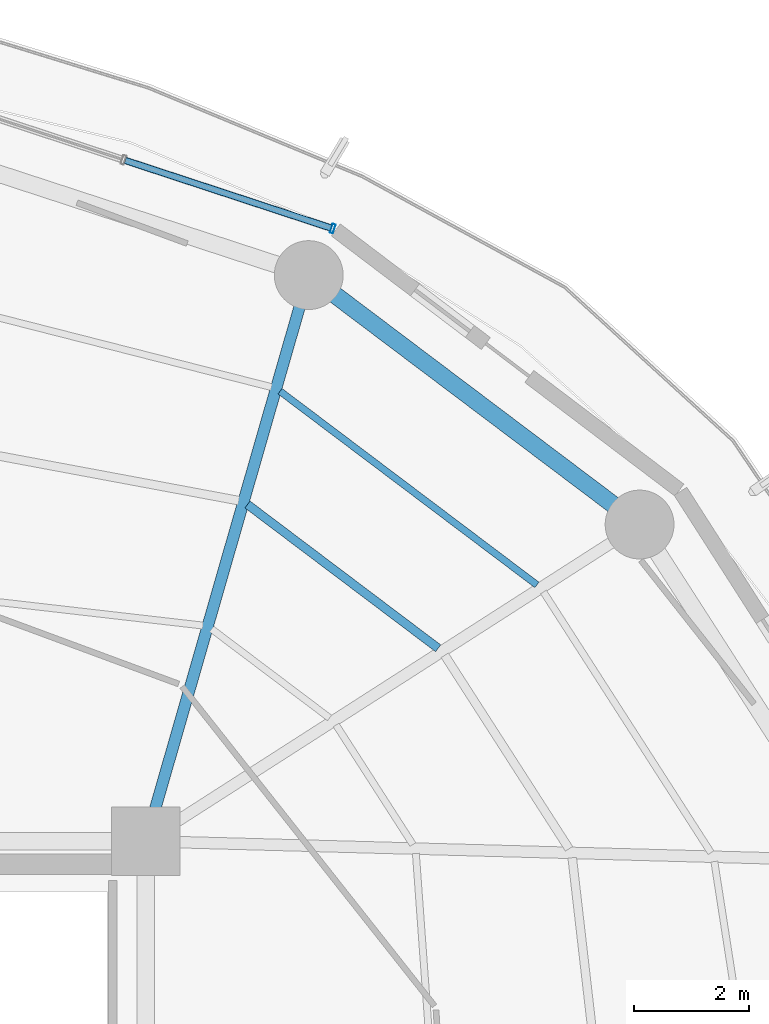
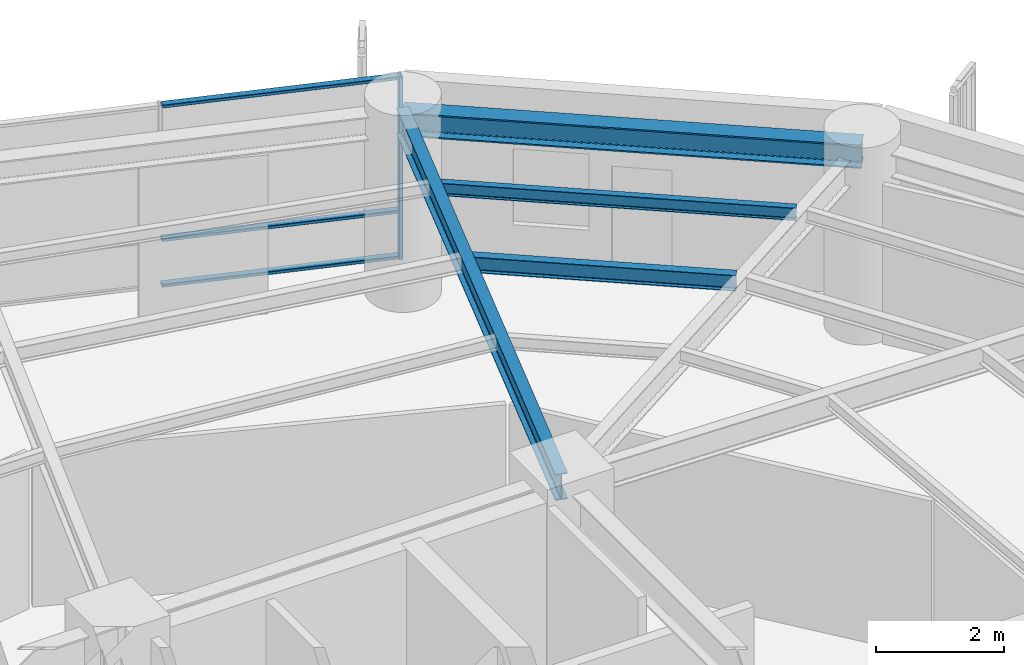
# One storey, part 19 of 27: 4 beams, 4 members, 1 element without a shape of its own.
"""IFC4 building model written with IfcOpenShell, lengths in metres."""

from ifc_helpers import new_model, si_unit, direction, frame, origin, origin_2d, place, context, subcontext, project, spatial, hollow_rectangle, i_section, extrude, material, layer, layer_set, material_profile, profile_set, type_object, element, aggregate, save


model = new_model("IFC4")

# Units and contexts
model_context = context("Model", 3, precision=1e-05, world=origin(), true_north=direction((0.0, 1.0)))
body_context = subcontext(model_context, "Body", "Model", "MODEL_VIEW")
ifc_project = project(units=[si_unit("LENGTHUNIT", "METRE"), si_unit("AREAUNIT", "SQUARE_METRE"), si_unit("VOLUMEUNIT", "CUBIC_METRE"), si_unit("PLANEANGLEUNIT", "RADIAN"), si_unit("MASSUNIT", "GRAM", prefix="KILO")], contexts=[model_context])

# Site, building, storey
site_placement = place(None, origin())
site = spatial("IfcSite", under=ifc_project, at=site_placement, CompositionType="ELEMENT")
building_placement = place(site_placement, origin())
building = spatial("IfcBuilding", under=site, at=building_placement, Name="Kelanora Arch Commons", CompositionType="ELEMENT")
storey_placement = place(building_placement, frame((0.0, 0.0, 146.85009765625)))
storey = spatial("IfcBuildingStorey", under=building, at=storey_placement, Name="L37", CompositionType="ELEMENT", Elevation=146.85009765625)

# Beams
ifc_material_1 = material(Name="Steel S355", Category="steel")
ifc_material_profile_1 = material_profile(ifc_material_1, i_section(OverallWidth=0.14990234375, OverallDepth=0.300048828125, WebThickness=0.007080078125, FlangeThickness=0.0107421875, FilletRadius=0.014892578125, at=origin_2d()), Name="IPE300")
ifc_profile_set_1 = profile_set([ifc_material_profile_1], Name="Steel S355")
beam_type_1 = type_object("IfcBeamType", Name="BM-JST-01", PredefinedType="JOIST", material=ifc_profile_set_1)
beam_1_placement = place(storey_placement, frame((87.0966796875, 68.364013671875, 3.33984375), z_axis=(-0.798463547891, 0.602043156833, 0.0), x_axis=(-0.602043156833, -0.798463547891, 0.0)))
element("IfcBeam", 1, at=beam_1_placement, inside=storey, type_object=beam_type_1, Name="Secondary Chord Joist BJB-04 L37", PredefinedType="JOIST", context=body_context, shape_type="SweptSolid", body=[
    extrude(i_section(OverallWidth=0.14990234375, OverallDepth=0.300048828125, WebThickness=0.007080078125, FlangeThickness=0.0107421875, FilletRadius=0.014892578125, at=origin_2d()), origin(), (0.0, 0.0, 1.0), 4.163818359375),
])
ifc_material_profile_2 = material_profile(ifc_material_1, i_section(OverallWidth=0.1201171875, OverallDepth=0.239990234375, WebThickness=0.006103515625, FlangeThickness=0.009765625, FilletRadius=0.014892578125, at=origin_2d()), Name="IPE240")
ifc_profile_set_2 = profile_set([ifc_material_profile_2], Name="Steel S355")
beam_type_2 = type_object("IfcBeamType", Name="BM-JST-02", PredefinedType="JOIST", material=ifc_profile_set_2)
beam_2_placement = place(storey_placement, frame((88.818359375, 69.468505859375, 3.369873046875), z_axis=(-0.798493128577, 0.602003923256, 0.0), x_axis=(-0.602003923256, -0.798493128577, 0.0)))
element("IfcBeam", 2, at=beam_2_placement, inside=storey, type_object=beam_type_2, Name="Secondary Chord Joist BJC-04 L37", PredefinedType="JOIST", context=body_context, shape_type="SweptSolid", body=[
    extrude(i_section(OverallWidth=0.1201171875, OverallDepth=0.239990234375, WebThickness=0.006103515625, FlangeThickness=0.009765625, FilletRadius=0.014892578125, at=origin_2d()), origin(), (0.0, 0.0, 1.0), 5.608642578125),
])
ifc_material_profile_3 = material_profile(ifc_material_1, i_section(OverallWidth=0.199951171875, OverallDepth=0.5, WebThickness=0.01025390625, FlangeThickness=0.01611328125, FilletRadius=0.02099609375, at=origin_2d()), Name="IPE500")
ifc_profile_set_3 = profile_set([ifc_material_profile_3], Name="Steel S355")
beam_type_3 = type_object("IfcBeamType", Name="BM-RAD-Z3", PredefinedType="BEAM", material=ifc_profile_set_3)
beam_3_placement = place(storey_placement, frame((82.0, 65.0, 3.239990234375), z_axis=(0.276525880065, 0.961006471182, 0.0), x_axis=(-0.961006471182, 0.276525880065, 0.0)))
element("IfcBeam", 3, at=beam_3_placement, inside=storey, type_object=beam_type_3, Name="Radial Floor Girder BR-06 L37", PredefinedType="BEAM", context=body_context, shape_type="SweptSolid", body=[
    extrude(i_section(OverallWidth=0.199951171875, OverallDepth=0.5, WebThickness=0.01025390625, FlangeThickness=0.01611328125, FilletRadius=0.02099609375, at=origin_2d()), origin(), (0.0, 0.0, 1.0), 10.2705078125),
])
ifc_material_profile_4 = material_profile(ifc_material_1, i_section(OverallWidth=0.300048828125, OverallDepth=0.449951171875, WebThickness=0.013916015625, FlangeThickness=0.02587890625, FilletRadius=0.027099609375, at=origin_2d()), Name="HEB450")
ifc_profile_set_4 = profile_set([ifc_material_profile_4], Name="Steel S355")
beam_type_4 = type_object("IfcBeamType", Name="BM-SPN-Z3", PredefinedType="SPANDREL", material=ifc_profile_set_4)
beam_4_placement = place(storey_placement, frame((90.60791015625, 70.521484375, 3.264892578125), z_axis=(-0.798484645564, 0.60201517489, 0.0), x_axis=(-0.60201517489, -0.798484645564, 0.0)))
element("IfcBeam", 4, at=beam_4_placement, inside=storey, type_object=beam_type_4, Name="Perimeter Spandrel Beam BS-04 L37", PredefinedType="SPANDREL", context=body_context, shape_type="SweptSolid", body=[
    extrude(i_section(OverallWidth=0.300048828125, OverallDepth=0.449951171875, WebThickness=0.013916015625, FlangeThickness=0.02587890625, FilletRadius=0.027099609375, at=origin_2d()), origin(), (0.0, 0.0, 1.0), 7.223388671875),
])

# Curtain wall, members
ifc_material_2 = material(Name="Terracotta ceramic-fritted low-E glass and aluminium", Category="masonry")
ifc_layer = layer(ifc_material_2, 0.175048828125)
ifc_layer_set = layer_set([ifc_layer], Name="Terracotta ceramic-fritted low-E glass and aluminium")
curtain_wall_type = type_object("IfcCurtainWallType", Name="CW-SYS-02", PredefinedType="NOTDEFINED", material=ifc_layer_set)
curtain_wall_placement = place(storey_placement, origin())
curtain_wall = element("IfcCurtainWall", 5, at=curtain_wall_placement, inside=storey, type_object=curtain_wall_type, Name="Unitised Curtain Wall L37-B03", PredefinedType="NOTDEFINED")
ifc_material_3 = material(Name="Powder-coated aluminium terracotta", Category="masonry")
ifc_material_profile_5 = material_profile(ifc_material_3, hollow_rectangle(XDim=0.159912109375, YDim=0.06005859375, WallThickness=0.0048828125, InnerFilletRadius=0.0048828125, OuterFilletRadius=0.010009765625, at=origin_2d()), Name="CWM160x60")
ifc_profile_set_5 = profile_set([ifc_material_profile_5], Name="Powder-coated aluminium terracotta")
member_type_1 = type_object("IfcMemberType", Name="CWM-STD", PredefinedType="MULLION", material=ifc_profile_set_5)
member_1_placement = place(storey_placement, frame((85.257080078125, 75.680908203125, 0.0), z_axis=(0.0, 0.0, 1.0), x_axis=(-0.312128279571, -0.95003996605, 0.0)))
member_1 = element("IfcMember", 6, at=member_1_placement, type_object=member_type_1, Name="CW-02 mullion 1", PredefinedType="MULLION", context=body_context, shape_type="SweptSolid", body=[
    extrude(hollow_rectangle(XDim=0.159912109375, YDim=0.06005859375, WallThickness=0.0048828125, InnerFilletRadius=0.0048828125, OuterFilletRadius=0.010009765625, at=origin_2d()), origin(), (0.0, 0.0, 1.0), 3.474853515625),
])
ifc_material_profile_6 = material_profile(ifc_material_3, hollow_rectangle(XDim=0.1201171875, YDim=0.06005859375, WallThickness=0.0048828125, InnerFilletRadius=0.0048828125, OuterFilletRadius=0.010009765625, at=origin_2d()), Name="CWT120x60")
ifc_profile_set_6 = profile_set([ifc_material_profile_6], Name="Powder-coated aluminium terracotta")
member_type_2 = type_object("IfcMemberType", Name="CWT-STD", PredefinedType="USERDEFINED", material=ifc_profile_set_6)
member_2_placement = place(storey_placement, frame((85.228759765625, 75.6904296875, 0.02978515625), z_axis=(-0.950051191155, 0.312094111104, 0.0), x_axis=(-0.312094111104, -0.950051191155, 0.0)))
member_2 = element("IfcMember", 7, at=member_2_placement, type_object=member_type_2, Name="CW-02 transom 1.1", ObjectType="TRANSOM", PredefinedType="USERDEFINED", context=body_context, shape_type="SweptSolid", body=[
    extrude(hollow_rectangle(XDim=0.1201171875, YDim=0.06005859375, WallThickness=0.0048828125, InnerFilletRadius=0.0048828125, OuterFilletRadius=0.010009765625, at=origin_2d()), origin(), (0.0, 0.0, 1.0), 3.77685546875),
])
member_3_placement = place(storey_placement, frame((85.228759765625, 75.6904296875, 0.89990234375), z_axis=(-0.950051191155, 0.312094111104, 0.0), x_axis=(-0.312094111104, -0.950051191155, 0.0)))
member_3 = element("IfcMember", 8, at=member_3_placement, type_object=member_type_2, Name="CW-02 transom 1.2", ObjectType="TRANSOM", PredefinedType="USERDEFINED", context=body_context, shape_type="SweptSolid", body=[
    extrude(hollow_rectangle(XDim=0.1201171875, YDim=0.06005859375, WallThickness=0.0048828125, InnerFilletRadius=0.0048828125, OuterFilletRadius=0.010009765625, at=origin_2d()), origin(), (0.0, 0.0, 1.0), 3.77685546875),
])
member_4_placement = place(storey_placement, frame((85.228759765625, 75.6904296875, 3.44482421875), z_axis=(-0.950051191155, 0.312094111104, 0.0), x_axis=(-0.312094111104, -0.950051191155, 0.0)))
member_4 = element("IfcMember", 9, at=member_4_placement, type_object=member_type_2, Name="CW-02 transom 1.3", ObjectType="TRANSOM", PredefinedType="USERDEFINED", context=body_context, shape_type="SweptSolid", body=[
    extrude(hollow_rectangle(XDim=0.1201171875, YDim=0.06005859375, WallThickness=0.0048828125, InnerFilletRadius=0.0048828125, OuterFilletRadius=0.010009765625, at=origin_2d()), origin(), (0.0, 0.0, 1.0), 3.77685546875),
])
aggregate(curtain_wall, [member_1, member_2, member_3, member_4])

save(model, "model.ifc")
